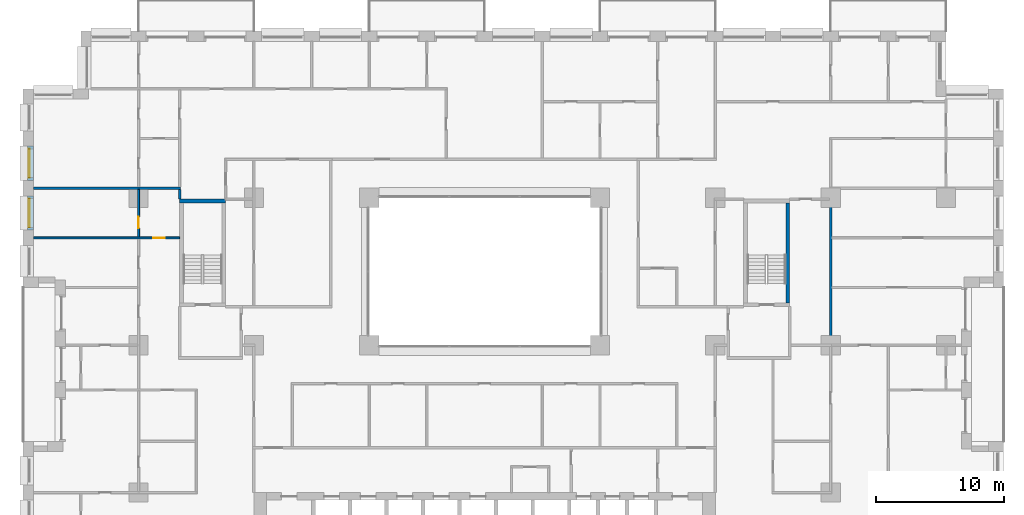
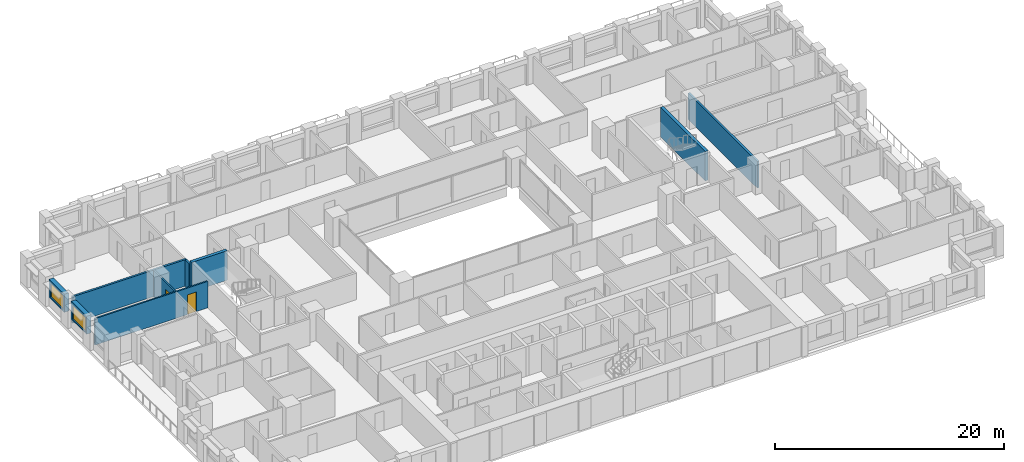
# One storey, part 13 of 20: 9 walls, 2 doors, 2 windows, 4 openings.
"""IFC4 building model written with IfcOpenShell, lengths in metres."""

from ifc_helpers import new_model, si_unit, direction, frame, frame_2d, origin, place, context, subcontext, project, spatial, rectangle, extrude, material, layer, layer_set, type_object, element, fill, save


model = new_model("IFC4")

# Units and contexts
model_context = context("Model", 3, precision=1e-05, world=origin(), true_north=direction((0.0, 1.0)))
body_context = subcontext(model_context, "Body", "Model", "MODEL_VIEW")
ifc_project = project(units=[si_unit("LENGTHUNIT", "METRE"), si_unit("AREAUNIT", "SQUARE_METRE"), si_unit("VOLUMEUNIT", "CUBIC_METRE"), si_unit("PLANEANGLEUNIT", "RADIAN"), si_unit("MASSUNIT", "GRAM", prefix="KILO")], contexts=[model_context])

# Site, building, storey
site_placement = place(None, origin())
site = spatial("IfcSite", under=ifc_project, at=site_placement, CompositionType="ELEMENT")
building_placement = place(site_placement, origin())
building = spatial("IfcBuilding", under=site, at=building_placement, Name="Brigalow Station Residences", CompositionType="ELEMENT")
storey_placement = place(building_placement, frame((0.0, 0.0, 41.550048828125)))
storey = spatial("IfcBuildingStorey", under=building, at=storey_placement, Name="L11", CompositionType="ELEMENT", Elevation=41.550048828125)

# Wall, opening, window
ifc_material_1 = material(Name="Clay brick masonry", Category="masonry")
ifc_layer_1 = layer(ifc_material_1, 0.449951171875)
ifc_layer_set_1 = layer_set([ifc_layer_1], Name="BRICK INFILL WALL 450")
wall_type_1 = type_object("IfcWallType", Name="BRICK INFILL WALL 450", PredefinedType="SOLIDWALL", material=ifc_layer_set_1)
wall_1_placement = place(storey_placement, frame((0.574951171875, 39.52490234375, 0.89990234375), z_axis=(0.0, 0.0, 1.0), x_axis=(0.0, -1.0, 0.0)))
wall_1 = element("IfcWall", 1, at=wall_1_placement, inside=storey, type_object=wall_type_1, Name="L11/ewall/W-L11-43", PredefinedType="SOLIDWALL", context=body_context, shape_type="SweptSolid", body=[
    extrude(rectangle(XDim=2.6748046875, YDim=0.449951171875, at=frame_2d((1.33740234375, 0.0))), origin(), (0.0, 0.0, 1.0), 1.929931640625),
])
opening_1_placement = place(wall_1_placement, frame((0.21240234375, 0.0, 0.14990234375)))
opening_1 = element("IfcOpeningElement", 2, at=opening_1_placement, cuts=wall_1, Name="Opening WT-6", PredefinedType="OPENING", context=body_context, shape_type="SweptSolid", body=[
    extrude(rectangle(XDim=2.25, YDim=1.5, at=frame_2d((1.125, 0.75))), frame((0.0, 0.23486328125, 0.0), z_axis=(0.0, -1.0, 0.0), x_axis=(1.0, 0.0, 0.0)), (0.0, 0.0, 1.0), 0.469970703125),
])
ifc_material_2 = material(Name="Anodised aluminium frame with double glazing", Category="aluminium")
window_type = type_object("IfcWindowType", Name="WINDOW 2250x1500", PartitioningType="SINGLE_PANEL", PredefinedType="WINDOW", material=ifc_material_2)
window_1_placement = place(opening_1_placement, origin())
window_1 = element("IfcWindow", 3, at=window_1_placement, inside=storey, type_object=window_type, Name="L11/window/W-L11-43", OverallHeight=1.5, OverallWidth=2.25, PartitioningType="SINGLE_PANEL", PredefinedType="WINDOW", context=body_context, shape_type="SweptSolid", body=[
    extrude(rectangle(XDim=2.25, YDim=1.5, at=frame_2d((1.125, 0.75))), frame((0.0, -0.06494140625, 0.0), z_axis=(0.0, -1.0, 0.0), x_axis=(1.0, 0.0, 0.0)), (0.0, 0.0, 1.0), 0.06005859375),
])
fill(opening_1, window_1)

wall_2_placement = place(storey_placement, frame((0.574951171875, 35.64990234375, 0.89990234375), z_axis=(0.0, 0.0, 1.0), x_axis=(0.0, -1.0, 0.0)))
wall_2 = element("IfcWall", 4, at=wall_2_placement, inside=storey, type_object=wall_type_1, Name="L11/ewall/W-L11-44", PredefinedType="SOLIDWALL", context=body_context, shape_type="SweptSolid", body=[
    extrude(rectangle(XDim=2.6748046875, YDim=0.449951171875, at=frame_2d((1.33740234375, 0.0))), origin(), (0.0, 0.0, 1.0), 1.929931640625),
])
opening_2_placement = place(wall_2_placement, frame((0.21240234375, 0.0, 0.14990234375)))
opening_2 = element("IfcOpeningElement", 5, at=opening_2_placement, cuts=wall_2, Name="Opening WT-6", PredefinedType="OPENING", context=body_context, shape_type="SweptSolid", body=[
    extrude(rectangle(XDim=2.25, YDim=1.5, at=frame_2d((1.125, 0.75))), frame((0.0, 0.23486328125, 0.0), z_axis=(0.0, -1.0, 0.0), x_axis=(1.0, 0.0, 0.0)), (0.0, 0.0, 1.0), 0.469970703125),
])
window_2_placement = place(opening_2_placement, origin())
window_2 = element("IfcWindow", 6, at=window_2_placement, inside=storey, type_object=window_type, Name="L11/window/W-L11-44", OverallHeight=1.5, OverallWidth=2.25, PartitioningType="SINGLE_PANEL", PredefinedType="WINDOW", context=body_context, shape_type="SweptSolid", body=[
    extrude(rectangle(XDim=2.25, YDim=1.5, at=frame_2d((1.125, 0.75))), frame((0.0, -0.06494140625, 0.0), z_axis=(0.0, -1.0, 0.0), x_axis=(1.0, 0.0, 0.0)), (0.0, 0.0, 1.0), 0.06005859375),
])
fill(opening_2, window_2)

# Walls
ifc_material_3 = material(Name="Concrete C80", Category="concrete")
ifc_layer_2 = layer(ifc_material_3, 0.300048828125)
ifc_layer_set_2 = layer_set([ifc_layer_2], Name="CORE SHEAR WALL 300 C80")
wall_type_2 = type_object("IfcWallType", Name="CORE SHEAR WALL 300 C80", PredefinedType="SHEAR", material=ifc_layer_set_2)
wall_3_placement = place(storey_placement, frame((12.199951171875, 35.25, 0.0), z_axis=(0.0, 0.0, 1.0), x_axis=(1.0, 0.0, 0.0)))
element("IfcWall", 7, at=wall_3_placement, inside=storey, type_object=wall_type_2, Name="CORE WALL ST-S1-N L11", PredefinedType="SHEAR", context=body_context, shape_type="SweptSolid", body=[
    extrude(rectangle(XDim=3.60009765625, YDim=0.300048828125, at=frame_2d((1.800048828125, 0.0))), origin(), (0.0, 0.0, 1.0), 3.14990234375),
])
wall_4_placement = place(storey_placement, frame((59.64990234375, 27.300048828125, 0.0), z_axis=(0.0, 0.0, 1.0), x_axis=(0.0, 1.0, 0.0)))
element("IfcWall", 8, at=wall_4_placement, inside=storey, type_object=wall_type_2, Name="CORE WALL ST-S3-E L11", PredefinedType="SHEAR", context=body_context, shape_type="SweptSolid", body=[
    extrude(rectangle(XDim=7.800048828125, YDim=0.300048828125, at=frame_2d((3.89990234375, 0.0))), origin(), (0.0, 0.0, 1.0), 3.14990234375),
])

# Wall, opening, door
ifc_material_4 = material(Name="Plasterboard on steel stud partition", Category="steel")
ifc_layer_3 = layer(ifc_material_4, 0.14990234375)
ifc_layer_set_3 = layer_set([ifc_layer_3], Name="FLAT PARTITION 150")
wall_type_3 = type_object("IfcWallType", Name="FLAT PARTITION 150", PredefinedType="PARTITIONING", material=ifc_layer_set_3)
wall_5_placement = place(storey_placement, frame((0.800048828125, 32.375, 0.0), z_axis=(0.0, 0.0, 1.0), x_axis=(1.0, 0.0, 0.0)))
wall_5 = element("IfcWall", 9, at=wall_5_placement, inside=storey, type_object=wall_type_3, Name="PW-1C19", PredefinedType="PARTITIONING", context=body_context, shape_type="SweptSolid", body=[
    extrude(rectangle(XDim=11.39990234375, YDim=0.14990234375, at=frame_2d((5.699951171875, 0.0))), origin(), (0.0, 0.0, 1.0), 2.829833984375),
])
opening_3_placement = place(wall_5_placement, frame((9.35009765625, 0.0, 0.0)))
opening_3 = element("IfcOpeningElement", 10, at=opening_3_placement, cuts=wall_5, Name="Opening D-1C13", PredefinedType="OPENING", context=body_context, shape_type="SweptSolid", body=[
    extrude(rectangle(XDim=0.89990234375, YDim=2.10009765625, at=frame_2d((0.449951171875, 1.050048828125))), frame((0.0, 0.0849609375, 0.0), z_axis=(0.0, -1.0, 0.0), x_axis=(1.0, 0.0, 0.0)), (0.0, 0.0, 1.0), 0.169921875),
])
ifc_material_5 = material(Name="Solid-core timber door leaf", Category="wood")
door_type = type_object("IfcDoorType", Name="INTERNAL DOOR 900 x 2100", OperationType="SINGLE_SWING_LEFT", PredefinedType="DOOR", material=ifc_material_5)
door_1_placement = place(opening_3_placement, origin())
door_1 = element("IfcDoor", 11, at=door_1_placement, inside=storey, type_object=door_type, Name="D-1C13", OperationType="SINGLE_SWING_LEFT", OverallHeight=2.10009765625, OverallWidth=0.89990234375, PredefinedType="DOOR", context=body_context, shape_type="SweptSolid", body=[
    extrude(rectangle(XDim=0.89990234375, YDim=2.10009765625, at=frame_2d((0.449951171875, 1.050048828125))), frame((0.0, 0.02490234375, 0.0), z_axis=(0.0, -1.0, 0.0), x_axis=(1.0, 0.0, 0.0)), (0.0, 0.0, 1.0), 0.050048828125),
])
fill(opening_3, door_1)

wall_6_placement = place(storey_placement, frame((9.0, 32.449951171875, 0.0), z_axis=(0.0, 0.0, 1.0), x_axis=(0.0, 1.0, 0.0)))
wall_6 = element("IfcWall", 12, at=wall_6_placement, inside=storey, type_object=wall_type_3, Name="PW-1C55", PredefinedType="PARTITIONING", context=body_context, shape_type="SweptSolid", body=[
    extrude(rectangle(XDim=3.699951171875, YDim=0.14990234375, at=frame_2d((1.85009765625, 0.0))), origin(), (0.0, 0.0, 1.0), 2.829833984375),
])
opening_4_placement = place(wall_6_placement, frame((0.662109375, 0.0, 0.0)))
opening_4 = element("IfcOpeningElement", 13, at=opening_4_placement, cuts=wall_6, Name="Opening D-1C16", PredefinedType="OPENING", context=body_context, shape_type="SweptSolid", body=[
    extrude(rectangle(XDim=0.89990234375, YDim=2.10009765625, at=frame_2d((0.449951171875, 1.050048828125))), frame((0.0, 0.0849609375, 0.0), z_axis=(0.0, -1.0, 0.0), x_axis=(1.0, 0.0, 0.0)), (0.0, 0.0, 1.0), 0.169921875),
])
door_2_placement = place(opening_4_placement, frame((0.89990234375, 0.0, 0.0), z_axis=(0.0, 0.0, 1.0), x_axis=(-1.0, 0.0, 0.0)))
door_2 = element("IfcDoor", 14, at=door_2_placement, inside=storey, type_object=door_type, Name="D-1C16", OperationType="SINGLE_SWING_RIGHT", OverallHeight=2.10009765625, OverallWidth=0.89990234375, PredefinedType="DOOR", context=body_context, shape_type="SweptSolid", body=[
    extrude(rectangle(XDim=0.89990234375, YDim=2.10009765625, at=frame_2d((0.449951171875, 1.050048828125))), frame((0.0, 0.02490234375, 0.0), z_axis=(0.0, -1.0, 0.0), x_axis=(1.0, 0.0, 0.0)), (0.0, 0.0, 1.0), 0.050048828125),
])
fill(opening_4, door_2)

# Walls
ifc_material_6 = material(Name="Plasterboard on steel stud partition", Category="steel")
ifc_layer_4 = layer(ifc_material_6, 0.199951171875)
ifc_layer_set_4 = layer_set([ifc_layer_4], Name="PARTY AND CORRIDOR WALL 200")
wall_type_4 = type_object("IfcWallType", Name="PARTY AND CORRIDOR WALL 200", PredefinedType="PARTITIONING", material=ifc_layer_set_4)
wall_7_placement = place(storey_placement, frame((0.800048828125, 36.25, 0.0), z_axis=(0.0, 0.0, 1.0), x_axis=(1.0, 0.0, 0.0)))
element("IfcWall", 15, at=wall_7_placement, inside=storey, type_object=wall_type_4, Name="PW-1C25", PredefinedType="PARTITIONING", context=body_context, shape_type="SweptSolid", body=[
    extrude(rectangle(XDim=11.474853515625, YDim=0.199951171875, at=frame_2d((5.7373046875, 0.0))), origin(), (0.0, 0.0, 1.0), 2.829833984375),
])
wall_8_placement = place(storey_placement, frame((12.199951171875, 35.39990234375, 0.0), z_axis=(0.0, 0.0, 1.0), x_axis=(0.0, 1.0, 0.0)))
element("IfcWall", 16, at=wall_8_placement, inside=storey, type_object=wall_type_4, Name="PW-1C59", PredefinedType="PARTITIONING", context=body_context, shape_type="SweptSolid", body=[
    extrude(rectangle(XDim=0.75, YDim=0.199951171875, at=frame_2d((0.375, 0.0))), origin(), (0.0, 0.0, 1.0), 2.829833984375),
])
wall_9_placement = place(storey_placement, frame((63.0, 24.074951171875, 0.0), z_axis=(0.0, 0.0, 1.0), x_axis=(0.0, 1.0, 0.0)))
element("IfcWall", 17, at=wall_9_placement, inside=storey, type_object=wall_type_4, Name="PW-1C73", PredefinedType="PARTITIONING", context=body_context, shape_type="SweptSolid", body=[
    extrude(rectangle(XDim=12.074951171875, YDim=0.199951171875, at=frame_2d((6.03759765625, 0.0))), origin(), (0.0, 0.0, 1.0), 2.829833984375),
])

save(model, "model.ifc")
